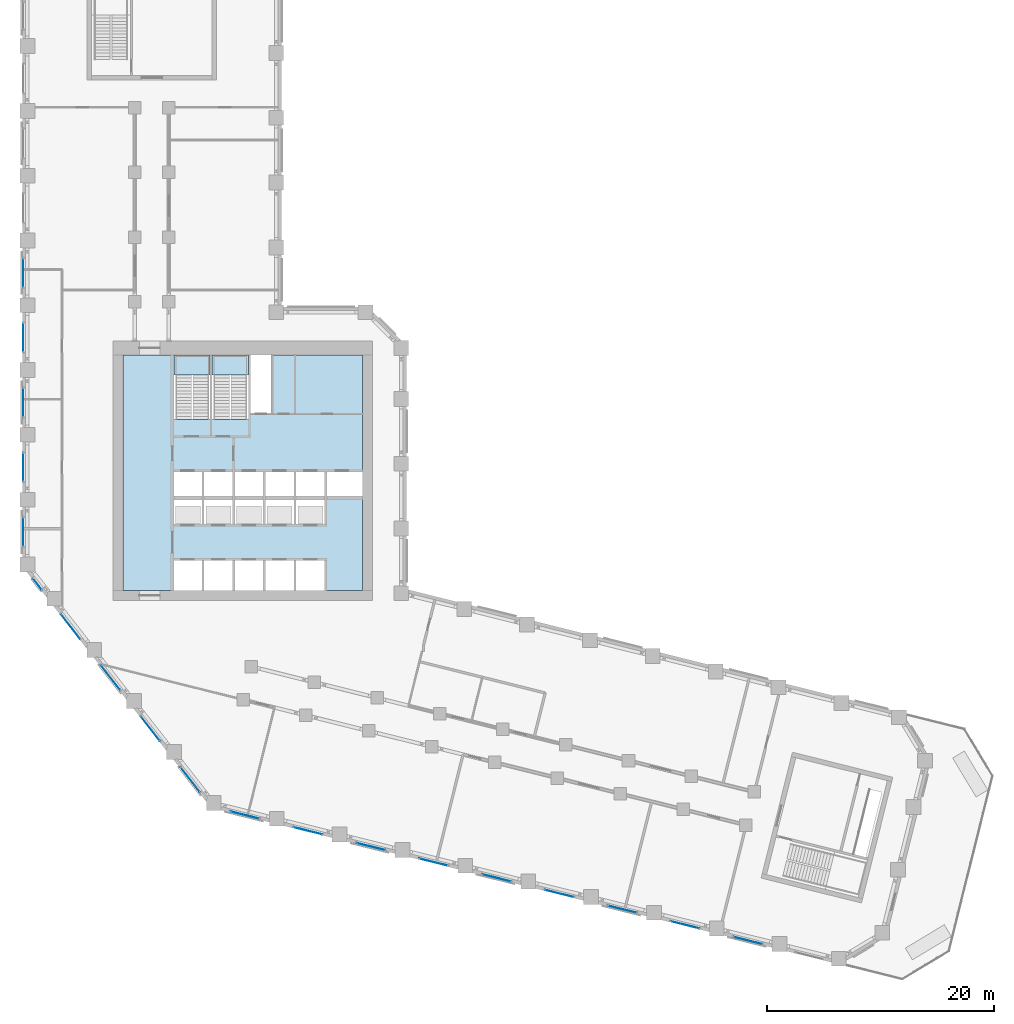
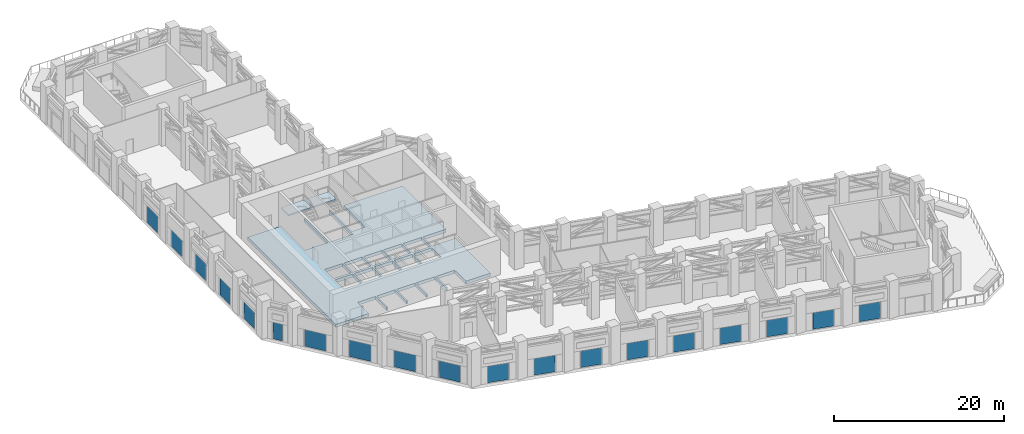
# One storey, part 10 of 21: 19 plates, 3 slabs, 21 elements without a shape of their own.
"""IFC4 building model written with IfcOpenShell, lengths in metres."""

from ifc_helpers import new_model, si_unit, direction, frame, origin, origin_2d, place, context, subcontext, project, spatial, polyline, rectangle, outline, extrude, material, layer, layer_set, type_object, element, aggregate, save


model = new_model("IFC4")

# Units and contexts
model_context = context("Model", 3, precision=1e-05, world=origin(), true_north=direction((0.0, 1.0)))
body_context = subcontext(model_context, "Body", "Model", "MODEL_VIEW")
ifc_project = project(units=[si_unit("LENGTHUNIT", "METRE"), si_unit("AREAUNIT", "SQUARE_METRE"), si_unit("VOLUMEUNIT", "CUBIC_METRE"), si_unit("PLANEANGLEUNIT", "RADIAN"), si_unit("MASSUNIT", "GRAM", prefix="KILO")], contexts=[model_context])

# Site, building, storey
site_placement = place(None, origin())
site = spatial("IfcSite", under=ifc_project, at=site_placement, CompositionType="ELEMENT")
building_placement = place(site_placement, origin())
building = spatial("IfcBuilding", under=site, at=building_placement, Name="Meshkara Civic Tower", CompositionType="ELEMENT")
storey_placement = place(building_placement, frame((0.0, 0.0, 156.0)))
storey = spatial("IfcBuildingStorey", under=building, at=storey_placement, Name="L35", CompositionType="ELEMENT", Elevation=156.0)

# Curtain wall, plate
ifc_material_1 = material(Name="Tinted double glazing", Category="glass")
curtain_wall_type = type_object("IfcCurtainWallType", Name="CW SKY LOBBY BAND", PredefinedType="NOTDEFINED", material=ifc_material_1)
curtain_wall_1_placement = place(storey_placement, origin())
curtain_wall_1 = element("IfcCurtainWall", 1, at=curtain_wall_1_placement, inside=storey, type_object=curtain_wall_type, Name="Curtain wall CW2", PredefinedType="NOTDEFINED")
ifc_material_2 = material(Name="Tinted double glazing", Category="glass")
ifc_layer_1 = layer(ifc_material_2, 0.028076171875)
ifc_layer_set_1 = layer_set([ifc_layer_1], Name="CW PANEL IGU 28")
plate_type = type_object("IfcPlateType", Name="CW PANEL IGU 28", PredefinedType="CURTAIN_PANEL", material=ifc_layer_set_1)
plate_1_placement = place(storey_placement, frame((0.080078125, 42.905029296875, 0.06005859375), z_axis=(0.0, 0.0, 1.0), x_axis=(0.0, -1.0, 0.0)))
plate_1 = element("IfcPlate", 2, at=plate_1_placement, type_object=plate_type, Name="CW2 panel 1.1", PredefinedType="CURTAIN_PANEL", context=body_context, shape_type="SweptSolid", body=[
    extrude(rectangle(XDim=2.52001953125, YDim=0.028076171875, at=origin_2d()), origin(), (0.0, 0.0, 1.0), 2.3798828125),
])
aggregate(curtain_wall_1, [plate_1])

curtain_wall_2_placement = place(storey_placement, origin())
curtain_wall_2 = element("IfcCurtainWall", 3, at=curtain_wall_2_placement, inside=storey, type_object=curtain_wall_type, Name="Curtain wall CW2", PredefinedType="NOTDEFINED")
plate_2_placement = place(storey_placement, frame((0.080078125, 37.20556640625, 0.06005859375), z_axis=(0.0, 0.0, 1.0), x_axis=(0.0, -1.0, 0.0)))
plate_2 = element("IfcPlate", 4, at=plate_2_placement, type_object=plate_type, Name="CW2 panel 1.1", PredefinedType="CURTAIN_PANEL", context=body_context, shape_type="SweptSolid", body=[
    extrude(rectangle(XDim=2.51904296875, YDim=0.028076171875, at=origin_2d()), origin(), (0.0, 0.0, 1.0), 2.3798828125),
])
aggregate(curtain_wall_2, [plate_2])

curtain_wall_3_placement = place(storey_placement, origin())
curtain_wall_3 = element("IfcCurtainWall", 5, at=curtain_wall_3_placement, inside=storey, type_object=curtain_wall_type, Name="Curtain wall CW2", PredefinedType="NOTDEFINED")
plate_3_placement = place(storey_placement, frame((0.080078125, 31.5048828125, 0.06005859375), z_axis=(0.0, 0.0, 1.0), x_axis=(0.0, -1.0, 0.0)))
plate_3 = element("IfcPlate", 6, at=plate_3_placement, type_object=plate_type, Name="CW2 panel 1.1", PredefinedType="CURTAIN_PANEL", context=body_context, shape_type="SweptSolid", body=[
    extrude(rectangle(XDim=2.51806640625, YDim=0.028076171875, at=origin_2d()), origin(), (0.0, 0.0, 1.0), 2.3798828125),
])
aggregate(curtain_wall_3, [plate_3])

curtain_wall_4_placement = place(storey_placement, origin())
curtain_wall_4 = element("IfcCurtainWall", 7, at=curtain_wall_4_placement, inside=storey, type_object=curtain_wall_type, Name="Curtain wall CW2", PredefinedType="NOTDEFINED")
plate_4_placement = place(storey_placement, frame((0.080078125, 25.804931640625, 0.06005859375), z_axis=(0.0, 0.0, 1.0), x_axis=(0.0, -1.0, 0.0)))
plate_4 = element("IfcPlate", 8, at=plate_4_placement, type_object=plate_type, Name="CW2 panel 1.1", PredefinedType="CURTAIN_PANEL", context=body_context, shape_type="SweptSolid", body=[
    extrude(rectangle(XDim=2.51806640625, YDim=0.028076171875, at=origin_2d()), origin(), (0.0, 0.0, 1.0), 2.3798828125),
])
aggregate(curtain_wall_4, [plate_4])

curtain_wall_5_placement = place(storey_placement, origin())
curtain_wall_5 = element("IfcCurtainWall", 9, at=curtain_wall_5_placement, inside=storey, type_object=curtain_wall_type, Name="Curtain wall CW2", PredefinedType="NOTDEFINED")
plate_5_placement = place(storey_placement, frame((0.080078125, 20.1044921875, 0.06005859375), z_axis=(0.0, 0.0, 1.0), x_axis=(0.0, -1.0, 0.0)))
plate_5 = element("IfcPlate", 10, at=plate_5_placement, type_object=plate_type, Name="CW2 panel 1.1", PredefinedType="CURTAIN_PANEL", context=body_context, shape_type="SweptSolid", body=[
    extrude(rectangle(XDim=2.51904296875, YDim=0.028076171875, at=origin_2d()), origin(), (0.0, 0.0, 1.0), 2.3798828125),
])
aggregate(curtain_wall_5, [plate_5])

curtain_wall_6_placement = place(storey_placement, origin())
curtain_wall_6 = element("IfcCurtainWall", 11, at=curtain_wall_6_placement, inside=storey, type_object=curtain_wall_type, Name="Curtain wall CW2", PredefinedType="NOTDEFINED")
plate_6_placement = place(storey_placement, frame((1.3154296875, 15.54638671875, 0.06005859375), z_axis=(0.0, 0.0, 1.0), x_axis=(0.615347934276, -0.7882556183, 0.0)))
plate_6 = element("IfcPlate", 12, at=plate_6_placement, type_object=plate_type, Name="CW2 panel 1.1", PredefinedType="CURTAIN_PANEL", context=body_context, shape_type="SweptSolid", body=[
    extrude(rectangle(XDim=1.25634765625, YDim=0.028076171875, at=origin_2d()), origin(), (0.0, 0.0, 1.0), 2.3798828125),
])
aggregate(curtain_wall_6, [plate_6])

curtain_wall_7_placement = place(storey_placement, origin())
curtain_wall_7 = element("IfcCurtainWall", 13, at=curtain_wall_7_placement, inside=storey, type_object=curtain_wall_type, Name="Curtain wall CW2", PredefinedType="NOTDEFINED")
plate_7_placement = place(storey_placement, frame((4.251953125, 11.7880859375, 0.06005859375), z_axis=(0.0, 0.0, 1.0), x_axis=(0.615522974018, -0.788118943089, 0.0)))
plate_7 = element("IfcPlate", 14, at=plate_7_placement, type_object=plate_type, Name="CW2 panel 1.1", PredefinedType="CURTAIN_PANEL", context=body_context, shape_type="SweptSolid", body=[
    extrude(rectangle(XDim=2.765380859375, YDim=0.028076171875, at=origin_2d()), origin(), (0.0, 0.0, 1.0), 2.3798828125),
])
aggregate(curtain_wall_7, [plate_7])

curtain_wall_8_placement = place(storey_placement, origin())
curtain_wall_8 = element("IfcCurtainWall", 15, at=curtain_wall_8_placement, inside=storey, type_object=curtain_wall_type, Name="Curtain wall CW2", PredefinedType="NOTDEFINED")
plate_8_placement = place(storey_placement, frame((7.761474609375, 7.29541015625, 0.06005859375), z_axis=(0.0, 0.0, 1.0), x_axis=(0.615570093702, -0.788082140224, 0.0)))
plate_8 = element("IfcPlate", 16, at=plate_8_placement, type_object=plate_type, Name="CW2 panel 1.1", PredefinedType="CURTAIN_PANEL", context=body_context, shape_type="SweptSolid", body=[
    extrude(rectangle(XDim=2.766845703125, YDim=0.028076171875, at=origin_2d()), origin(), (0.0, 0.0, 1.0), 2.3798828125),
])
aggregate(curtain_wall_8, [plate_8])

curtain_wall_9_placement = place(storey_placement, origin())
curtain_wall_9 = element("IfcCurtainWall", 17, at=curtain_wall_9_placement, inside=storey, type_object=curtain_wall_type, Name="Curtain wall CW2", PredefinedType="NOTDEFINED")
plate_9_placement = place(storey_placement, frame((11.2705078125, 2.803466796875, 0.06005859375), z_axis=(0.0, 0.0, 1.0), x_axis=(0.615570093702, -0.788082140224, 0.0)))
plate_9 = element("IfcPlate", 18, at=plate_9_placement, type_object=plate_type, Name="CW2 panel 1.1", PredefinedType="CURTAIN_PANEL", context=body_context, shape_type="SweptSolid", body=[
    extrude(rectangle(XDim=2.766845703125, YDim=0.028076171875, at=origin_2d()), origin(), (0.0, 0.0, 1.0), 2.3798828125),
])
aggregate(curtain_wall_9, [plate_9])

curtain_wall_10_placement = place(storey_placement, origin())
curtain_wall_10 = element("IfcCurtainWall", 19, at=curtain_wall_10_placement, inside=storey, type_object=curtain_wall_type, Name="Curtain wall CW2", PredefinedType="NOTDEFINED")
plate_10_placement = place(storey_placement, frame((14.779541015625, -1.6875, 0.06005859375), z_axis=(0.0, 0.0, 1.0), x_axis=(0.615570093702, -0.788082140224, 0.0)))
plate_10 = element("IfcPlate", 20, at=plate_10_placement, type_object=plate_type, Name="CW2 panel 1.1", PredefinedType="CURTAIN_PANEL", context=body_context, shape_type="SweptSolid", body=[
    extrude(rectangle(XDim=2.766845703125, YDim=0.028076171875, at=origin_2d()), origin(), (0.0, 0.0, 1.0), 2.3798828125),
])
aggregate(curtain_wall_10, [plate_10])

curtain_wall_11_placement = place(storey_placement, origin())
curtain_wall_11 = element("IfcCurtainWall", 21, at=curtain_wall_11_placement, inside=storey, type_object=curtain_wall_type, Name="Curtain wall CW2", PredefinedType="NOTDEFINED")
plate_11_placement = place(storey_placement, frame((19.599609375, -4.804443359375, 0.06005859375), z_axis=(0.0, 0.0, 1.0), x_axis=(0.970337585877, -0.241753943988, 0.0)))
plate_11 = element("IfcPlate", 22, at=plate_11_placement, type_object=plate_type, Name="CW2 panel 1.1", PredefinedType="CURTAIN_PANEL", context=body_context, shape_type="SweptSolid", body=[
    extrude(rectangle(XDim=2.58935546875, YDim=0.028076171875, at=origin_2d()), origin(), (0.0, 0.0, 1.0), 2.3798828125),
])
aggregate(curtain_wall_11, [plate_11])

curtain_wall_12_placement = place(storey_placement, origin())
curtain_wall_12 = element("IfcCurtainWall", 23, at=curtain_wall_12_placement, inside=storey, type_object=curtain_wall_type, Name="Curtain wall CW2", PredefinedType="NOTDEFINED")
plate_12_placement = place(storey_placement, frame((25.1298828125, -6.18359375, 0.06005859375), z_axis=(0.0, 0.0, 1.0), x_axis=(0.970316002828, -0.241840556268, 0.0)))
plate_12 = element("IfcPlate", 24, at=plate_12_placement, type_object=plate_type, Name="CW2 panel 1.1", PredefinedType="CURTAIN_PANEL", context=body_context, shape_type="SweptSolid", body=[
    extrude(rectangle(XDim=2.58837890625, YDim=0.028076171875, at=origin_2d()), origin(), (0.0, 0.0, 1.0), 2.3798828125),
])
aggregate(curtain_wall_12, [plate_12])

curtain_wall_13_placement = place(storey_placement, origin())
curtain_wall_13 = element("IfcCurtainWall", 25, at=curtain_wall_13_placement, inside=storey, type_object=curtain_wall_type, Name="Curtain wall CW2", PredefinedType="NOTDEFINED")
plate_13_placement = place(storey_placement, frame((30.660400390625, -7.56201171875, 0.06005859375), z_axis=(0.0, 0.0, 1.0), x_axis=(0.970250949174, -0.242101415994, 0.0)))
plate_13 = element("IfcPlate", 26, at=plate_13_placement, type_object=plate_type, Name="CW2 panel 1.1", PredefinedType="CURTAIN_PANEL", context=body_context, shape_type="SweptSolid", body=[
    extrude(rectangle(XDim=2.589599609375, YDim=0.028076171875, at=origin_2d()), origin(), (0.0, 0.0, 1.0), 2.3798828125),
])
aggregate(curtain_wall_13, [plate_13])

curtain_wall_14_placement = place(storey_placement, origin())
curtain_wall_14 = element("IfcCurtainWall", 27, at=curtain_wall_14_placement, inside=storey, type_object=curtain_wall_type, Name="Curtain wall CW2", PredefinedType="NOTDEFINED")
plate_14_placement = place(storey_placement, frame((36.19140625, -8.94091796875, 0.06005859375), z_axis=(0.0, 0.0, 1.0), x_axis=(0.970250949174, -0.242101415994, 0.0)))
plate_14 = element("IfcPlate", 28, at=plate_14_placement, type_object=plate_type, Name="CW2 panel 1.1", PredefinedType="CURTAIN_PANEL", context=body_context, shape_type="SweptSolid", body=[
    extrude(rectangle(XDim=2.589599609375, YDim=0.028076171875, at=origin_2d()), origin(), (0.0, 0.0, 1.0), 2.3798828125),
])
aggregate(curtain_wall_14, [plate_14])

curtain_wall_15_placement = place(storey_placement, origin())
curtain_wall_15 = element("IfcCurtainWall", 29, at=curtain_wall_15_placement, inside=storey, type_object=curtain_wall_type, Name="Curtain wall CW2", PredefinedType="NOTDEFINED")
plate_15_placement = place(storey_placement, frame((41.722412109375, -10.320068359375, 0.06005859375), z_axis=(0.0, 0.0, 1.0), x_axis=(0.970250949174, -0.242101415994, 0.0)))
plate_15 = element("IfcPlate", 30, at=plate_15_placement, type_object=plate_type, Name="CW2 panel 1.1", PredefinedType="CURTAIN_PANEL", context=body_context, shape_type="SweptSolid", body=[
    extrude(rectangle(XDim=2.589599609375, YDim=0.028076171875, at=origin_2d()), origin(), (0.0, 0.0, 1.0), 2.3798828125),
])
aggregate(curtain_wall_15, [plate_15])

curtain_wall_16_placement = place(storey_placement, origin())
curtain_wall_16 = element("IfcCurtainWall", 31, at=curtain_wall_16_placement, inside=storey, type_object=curtain_wall_type, Name="Curtain wall CW2", PredefinedType="NOTDEFINED")
plate_16_placement = place(storey_placement, frame((47.2529296875, -11.698974609375, 0.06005859375), z_axis=(0.0, 0.0, 1.0), x_axis=(0.970229305973, -0.242188137263, 0.0)))
plate_16 = element("IfcPlate", 32, at=plate_16_placement, type_object=plate_type, Name="CW2 panel 1.1", PredefinedType="CURTAIN_PANEL", context=body_context, shape_type="SweptSolid", body=[
    extrude(rectangle(XDim=2.588623046875, YDim=0.028076171875, at=origin_2d()), origin(), (0.0, 0.0, 1.0), 2.3798828125),
])
aggregate(curtain_wall_16, [plate_16])

curtain_wall_17_placement = place(storey_placement, origin())
curtain_wall_17 = element("IfcCurtainWall", 33, at=curtain_wall_17_placement, inside=storey, type_object=curtain_wall_type, Name="Curtain wall CW2", PredefinedType="NOTDEFINED")
plate_17_placement = place(storey_placement, frame((52.783447265625, -13.077392578125, 0.06005859375), z_axis=(0.0, 0.0, 1.0), x_axis=(0.970337585877, -0.241753943988, 0.0)))
plate_17 = element("IfcPlate", 34, at=plate_17_placement, type_object=plate_type, Name="CW2 panel 1.1", PredefinedType="CURTAIN_PANEL", context=body_context, shape_type="SweptSolid", body=[
    extrude(rectangle(XDim=2.58935546875, YDim=0.028076171875, at=origin_2d()), origin(), (0.0, 0.0, 1.0), 2.3798828125),
])
aggregate(curtain_wall_17, [plate_17])

curtain_wall_18_placement = place(storey_placement, origin())
curtain_wall_18 = element("IfcCurtainWall", 35, at=curtain_wall_18_placement, inside=storey, type_object=curtain_wall_type, Name="Curtain wall CW2", PredefinedType="NOTDEFINED")
plate_18_placement = place(storey_placement, frame((58.314453125, -14.45654296875, 0.06005859375), z_axis=(0.0, 0.0, 1.0), x_axis=(0.970337585877, -0.241753943988, 0.0)))
plate_18 = element("IfcPlate", 36, at=plate_18_placement, type_object=plate_type, Name="CW2 panel 1.1", PredefinedType="CURTAIN_PANEL", context=body_context, shape_type="SweptSolid", body=[
    extrude(rectangle(XDim=2.58935546875, YDim=0.028076171875, at=origin_2d()), origin(), (0.0, 0.0, 1.0), 2.3798828125),
])
aggregate(curtain_wall_18, [plate_18])

curtain_wall_19_placement = place(storey_placement, origin())
curtain_wall_19 = element("IfcCurtainWall", 37, at=curtain_wall_19_placement, inside=storey, type_object=curtain_wall_type, Name="Curtain wall CW2", PredefinedType="NOTDEFINED")
plate_19_placement = place(storey_placement, frame((63.844970703125, -15.83544921875, 0.06005859375), z_axis=(0.0, 0.0, 1.0), x_axis=(0.970316002828, -0.241840556268, 0.0)))
plate_19 = element("IfcPlate", 38, at=plate_19_placement, type_object=plate_type, Name="CW2 panel 1.1", PredefinedType="CURTAIN_PANEL", context=body_context, shape_type="SweptSolid", body=[
    extrude(rectangle(XDim=2.58837890625, YDim=0.028076171875, at=origin_2d()), origin(), (0.0, 0.0, 1.0), 2.3798828125),
])
aggregate(curtain_wall_19, [plate_19])

# Slab
ifc_material_3 = material(Name="Concrete C40/50", Category="concrete")
ifc_layer_2 = layer(ifc_material_3, 0.449951171875)
ifc_layer_set_2 = layer_set([ifc_layer_2], Name="Core floor slab 450 C40/50")
slab_type_1 = type_object("IfcSlabType", Name="Core floor slab 450 C40/50", PredefinedType="FLOOR", material=ifc_layer_set_2)
slab_1_placement = place(storey_placement, frame((0.0, 0.0, -0.449951171875)))
element("IfcSlab", 39, at=slab_1_placement, inside=storey, type_object=slab_type_1, Name="Core floor K", PredefinedType="FLOOR", context=body_context, shape_type="SweptSolid", body=[
    extrude(outline(polyline([(8.85009765625, 35.699951171875), (13.3701171875, 35.699951171875), (13.3701171875, 30.00146484375), (16.5, 30.00146484375), (16.5, 35.699951171875), (16.699951171875, 35.699951171875), (16.699951171875, 30.00146484375), (19.89990234375, 30.00146484375), (19.89990234375, 35.699951171875), (20.10009765625, 35.699951171875), (20.10009765625, 30.574951171875), (21.925048828125, 30.574951171875), (21.925048828125, 35.699951171875), (29.949951171875, 35.699951171875), (29.949951171875, 25.39990234375), (26.800048828125, 25.39990234375), (26.800048828125, 23.27001953125), (29.949951171875, 23.27001953125), (29.949951171875, 14.949951171875), (26.60009765625, 14.949951171875), (26.60009765625, 17.60009765625), (24.10009765625, 17.60009765625), (24.10009765625, 14.949951171875), (23.89990234375, 14.949951171875), (23.89990234375, 17.60009765625), (21.39990234375, 17.60009765625), (21.39990234375, 14.949951171875), (21.199951171875, 14.949951171875), (21.199951171875, 17.60009765625), (18.699951171875, 17.60009765625), (18.699951171875, 14.949951171875), (18.5, 14.949951171875), (18.5, 17.60009765625), (16.0, 17.60009765625), (16.0, 14.949951171875), (15.800048828125, 14.949951171875), (15.800048828125, 17.60009765625), (13.3701171875, 17.60009765625), (13.3701171875, 14.949951171875), (8.85009765625, 14.949951171875), (8.85009765625, 35.699951171875)]), holes=[polyline([(15.800048828125, 20.800048828125), (15.800048828125, 22.929931640625), (13.3701171875, 22.929931640625), (13.3701171875, 20.800048828125), (15.800048828125, 20.800048828125)]), polyline([(16.0, 22.929931640625), (16.0, 20.800048828125), (18.5, 20.800048828125), (18.5, 22.929931640625), (16.0, 22.929931640625)]), polyline([(18.699951171875, 22.929931640625), (18.699951171875, 20.800048828125), (21.199951171875, 20.800048828125), (21.199951171875, 22.929931640625), (18.699951171875, 22.929931640625)]), polyline([(15.800048828125, 23.27001953125), (15.800048828125, 25.39990234375), (13.3701171875, 25.39990234375), (13.3701171875, 23.27001953125), (15.800048828125, 23.27001953125)]), polyline([(16.0, 25.39990234375), (16.0, 23.27001953125), (18.5, 23.27001953125), (18.5, 25.39990234375), (16.0, 25.39990234375)]), polyline([(21.199951171875, 25.39990234375), (18.699951171875, 25.39990234375), (18.699951171875, 23.27001953125), (21.199951171875, 23.27001953125), (21.199951171875, 25.39990234375)]), polyline([(21.39990234375, 22.929931640625), (21.39990234375, 20.800048828125), (23.89990234375, 20.800048828125), (23.89990234375, 22.929931640625), (21.39990234375, 22.929931640625)]), polyline([(24.10009765625, 20.800048828125), (26.60009765625, 20.800048828125), (26.60009765625, 22.929931640625), (24.10009765625, 22.929931640625), (24.10009765625, 20.800048828125)]), polyline([(21.39990234375, 23.27001953125), (23.89990234375, 23.27001953125), (23.89990234375, 25.39990234375), (21.39990234375, 25.39990234375), (21.39990234375, 23.27001953125)]), polyline([(26.60009765625, 23.27001953125), (26.60009765625, 25.39990234375), (24.10009765625, 25.39990234375), (24.10009765625, 23.27001953125), (26.60009765625, 23.27001953125)])]), origin(), (0.0, 0.0, 1.0), 0.449951171875),
])

# Stair, slab
ifc_material_4 = material(Name="Precast concrete C40/50", Category="concrete")
stair_type = type_object("IfcStairType", Name="Exit stair half-turn 30 risers precast", PredefinedType="HALF_TURN_STAIR", material=ifc_material_4)
stair_1_placement = place(storey_placement, origin())
stair_1 = element("IfcStair", 40, at=stair_1_placement, inside=storey, type_object=stair_type, Name="L35 exit stair 1", PredefinedType="HALF_TURN_STAIR")
ifc_material_5 = material(Name="Precast concrete C40/50", Category="concrete")
ifc_layer_3 = layer(ifc_material_5, 0.199951171875)
ifc_layer_set_3 = layer_set([ifc_layer_3], Name="Exit stair landing 200")
slab_type_2 = type_object("IfcSlabType", Name="Exit stair landing 200", PredefinedType="LANDING", material=ifc_layer_set_3)
slab_2_placement = place(storey_placement, frame((0.0, 0.0, 2.5)))
slab_2 = element("IfcSlab", 41, at=slab_2_placement, type_object=slab_type_2, Name="ST1 landing 1", PredefinedType="LANDING", context=body_context, shape_type="SweptSolid", body=[
    extrude(outline(polyline([(16.5, 33.91845703125), (16.5, 35.699951171875), (13.3701171875, 35.699951171875), (13.3701171875, 33.91845703125), (16.5, 33.91845703125)])), origin(), (0.0, 0.0, 1.0), 0.199951171875),
])
aggregate(stair_1, [slab_2])

stair_2_placement = place(storey_placement, origin())
stair_2 = element("IfcStair", 42, at=stair_2_placement, inside=storey, type_object=stair_type, Name="L35 exit stair 2", PredefinedType="HALF_TURN_STAIR")
slab_3_placement = place(storey_placement, frame((0.0, 0.0, 2.5)))
slab_3 = element("IfcSlab", 43, at=slab_3_placement, type_object=slab_type_2, Name="ST2 landing 1", PredefinedType="LANDING", context=body_context, shape_type="SweptSolid", body=[
    extrude(outline(polyline([(19.89990234375, 33.91845703125), (19.89990234375, 35.699951171875), (16.699951171875, 35.699951171875), (16.699951171875, 33.91845703125), (19.89990234375, 33.91845703125)])), origin(), (0.0, 0.0, 1.0), 0.199951171875),
])
aggregate(stair_2, [slab_3])

save(model, "model.ifc")
